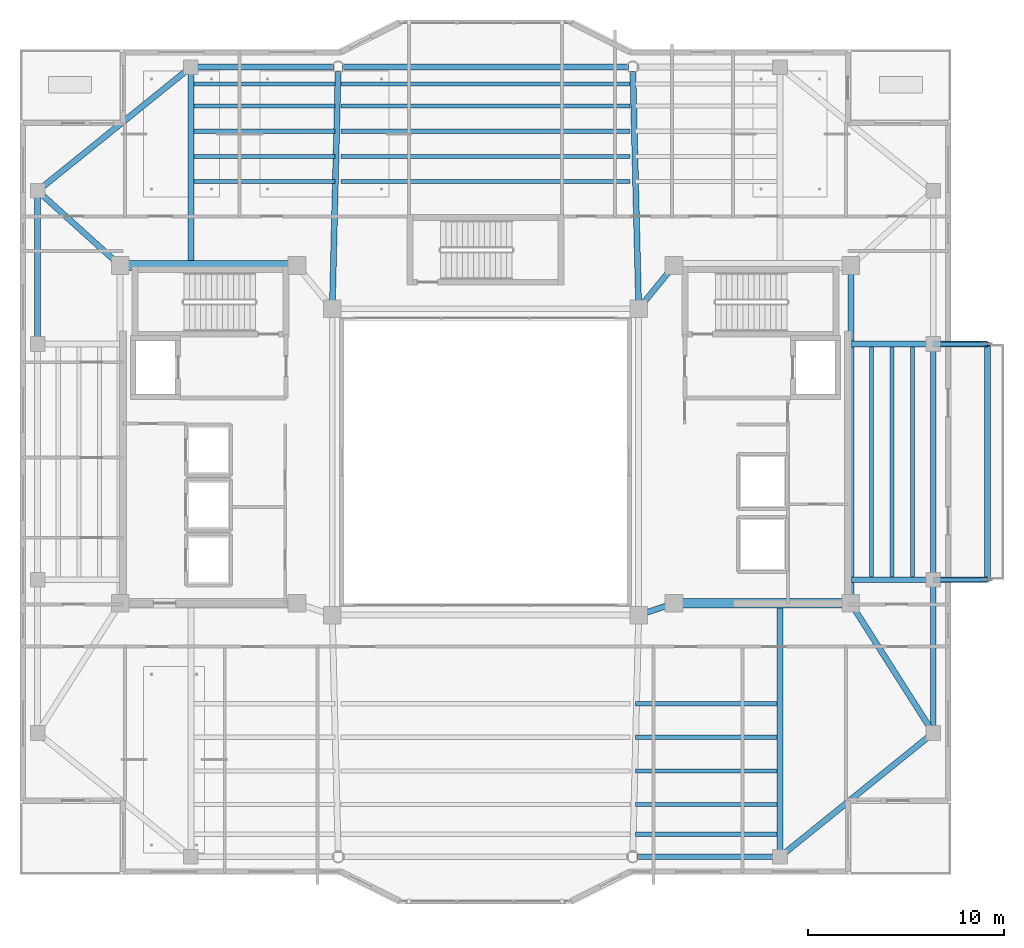
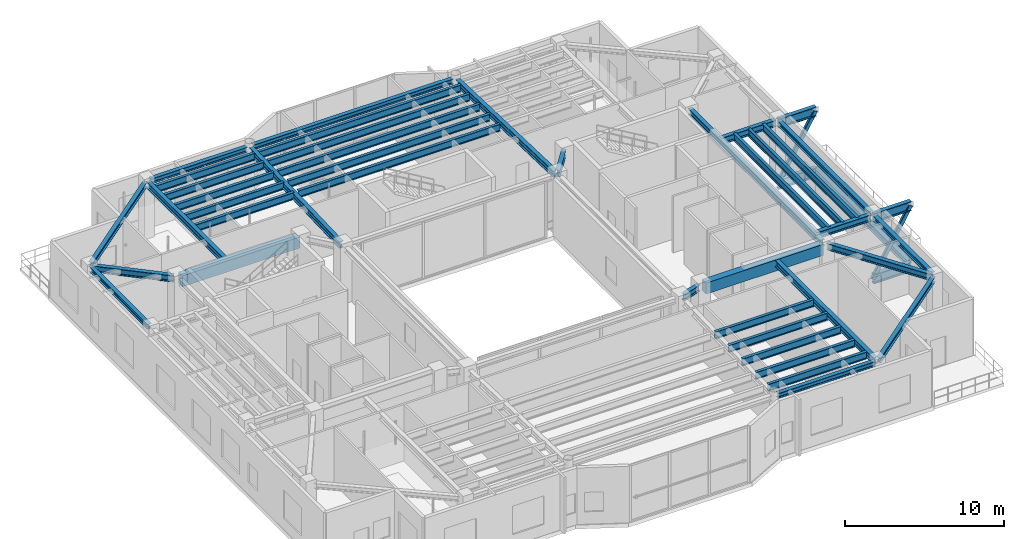
# One storey, part 7 of 23: 44 beams, 2 members.
"""IFC4 building model written with IfcOpenShell, lengths in metres."""

from ifc_helpers import new_model, si_unit, direction, frame, origin, origin_2d, place, context, subcontext, project, spatial, rectangle, hollow_rectangle, i_section, extrude, material, material_profile, profile_set, type_object, element, save


model = new_model("IFC4")

# Units and contexts
model_context = context("Model", 3, precision=1e-05, world=origin(), true_north=direction((0.0, 1.0)))
body_context = subcontext(model_context, "Body", "Model", "MODEL_VIEW")
ifc_project = project(units=[si_unit("LENGTHUNIT", "METRE"), si_unit("AREAUNIT", "SQUARE_METRE"), si_unit("VOLUMEUNIT", "CUBIC_METRE"), si_unit("PLANEANGLEUNIT", "RADIAN"), si_unit("MASSUNIT", "GRAM", prefix="KILO")], contexts=[model_context])

# Site, building, storey
site_placement = place(None, origin())
site = spatial("IfcSite", under=ifc_project, at=site_placement, CompositionType="ELEMENT")
building_placement = place(site_placement, origin())
building = spatial("IfcBuilding", under=site, at=building_placement, Name="Tarnavaz Court Tower", CompositionType="ELEMENT")
storey_placement = place(building_placement, frame((0.0, 0.0, 227.10009765625)))
storey = spatial("IfcBuildingStorey", under=building, at=storey_placement, Name="L62", CompositionType="ELEMENT", Elevation=227.10009765625)

# Beams
ifc_material_1 = material(Name="Steel S460", Category="steel")
ifc_material_profile_1 = material_profile(ifc_material_1, i_section(OverallWidth=0.303955078125, OverallDepth=0.716064453125, WebThickness=0.02099609375, FlangeThickness=0.0400390625, FilletRadius=0.027099609375, at=origin_2d()), Name="HEM 700")
ifc_profile_set_1 = profile_set([ifc_material_profile_1], Name="Steel S460")
beam_type_1 = type_object("IfcBeamType", Name="BM-BT-HEM700", PredefinedType="USERDEFINED", material=ifc_profile_set_1)
for number, where, z_axis, x_axis, name in (
    (1, (22.800048828125, -6.0, -0.7080078125), (1.0, 0.0, 0.0), (0.0, 1.0, 0.0), "L62 Sky-Pool Cantilever Bottom Chord 1"),
    (2, (22.800048828125, -6.0, 3.991943359375), (1.0, 0.0, 0.0), (0.0, 1.0, 0.0), "L62 Sky-Pool Cantilever Top Chord 1"),
    (3, (22.800048828125, 6.0, -0.7080078125), (1.0, 0.0, 0.0), (0.0, 1.0, 0.0), "L62 Sky-Pool Cantilever Bottom Chord 2"),
    (4, (22.800048828125, 6.0, 3.991943359375), (1.0, 0.0, 0.0), (0.0, 1.0, 0.0), "L62 Sky-Pool Cantilever Top Chord 2"),
):
    element("IfcBeam", number, at=place(storey_placement, frame(where, z_axis=z_axis, x_axis=x_axis)), inside=storey, type_object=beam_type_1, Name=name, ObjectType="GIRDER", PredefinedType="USERDEFINED", context=body_context, shape_type="SweptSolid", body=[
        extrude(i_section(OverallWidth=0.303955078125, OverallDepth=0.716064453125, WebThickness=0.02099609375, FlangeThickness=0.0400390625, FilletRadius=0.027099609375, at=origin_2d()), origin(), (0.0, 0.0, 1.0), 2.75),
    ])
ifc_material_2 = material(Name="Concrete C50/60", Category="concrete")
ifc_material_profile_2 = material_profile(ifc_material_2, rectangle(XDim=0.5, YDim=0.85009765625, at=origin_2d()), Name="RC 500X850")
ifc_profile_set_2 = profile_set([ifc_material_profile_2], Name="Concrete C50/60")
beam_type_2 = type_object("IfcBeamType", Name="BM-CB850", PredefinedType="LINTEL", material=ifc_profile_set_2)
for number, where, z_axis, x_axis, name in (
    (5, (-18.3798828125, 10.0, 3.9248046875), (1.0, 0.0, 0.0), (0.0, 1.0, 0.0), "L62 Beam IN-CW-NO-CW-NI"),
    (6, (18.3798828125, -7.199951171875, 3.9248046875), (-1.0, 0.0, 0.0), (0.0, -1.0, 0.0), "L62 Beam IN-CE-SO-CE-SI"),
):
    element("IfcBeam", number, at=place(storey_placement, frame(where, z_axis=z_axis, x_axis=x_axis)), inside=storey, type_object=beam_type_2, Name=name, PredefinedType="LINTEL", context=body_context, shape_type="SweptSolid", body=[
        extrude(rectangle(XDim=0.5, YDim=0.85009765625, at=origin_2d()), origin(), (0.0, 0.0, 1.0), 8.559814453125),
    ])
ifc_material_3 = material(Name="Steel S355", Category="steel")
ifc_material_profile_3 = material_profile(ifc_material_3, i_section(OverallWidth=0.300048828125, OverallDepth=0.5, WebThickness=0.014404296875, FlangeThickness=0.028076171875, FilletRadius=0.027099609375, at=origin_2d()), Name="HEB 500")
ifc_profile_set_3 = profile_set([ifc_material_profile_3], Name="Steel S355")
beam_type_3 = type_object("IfcBeamType", Name="BM-G-HEB500", PredefinedType="USERDEFINED", material=ifc_profile_set_3)
beam_1_placement = place(storey_placement, frame((9.391357421875, -7.26953125, 4.099853515625), z_axis=(-0.948666544706, -0.316278021615, 0.0), x_axis=(0.316278021615, -0.948666544706, 0.0)))
element("IfcBeam", 7, at=beam_1_placement, inside=storey, type_object=beam_type_3, Name="L62 Beam IN-CE-SI-IW-SE", ObjectType="GIRDER", PredefinedType="USERDEFINED", context=body_context, shape_type="SweptSolid", body=[
    extrude(i_section(OverallWidth=0.300048828125, OverallDepth=0.5, WebThickness=0.014404296875, FlangeThickness=0.028076171875, FilletRadius=0.027099609375, at=origin_2d()), origin(), (0.0, 0.0, 1.0), 1.457275390625),
])
beam_2_placement = place(storey_placement, frame((9.460693359375, 9.82958984375, 4.099853515625), z_axis=(-0.633282058357, -0.773921077735, 0.0), x_axis=(0.773921077735, -0.633282058357, 0.0)))
element("IfcBeam", 8, at=beam_2_placement, inside=storey, type_object=beam_type_3, Name="L62 Beam IN-CE-NI-IW-NE", ObjectType="GIRDER", PredefinedType="USERDEFINED", context=body_context, shape_type="SweptSolid", body=[
    extrude(i_section(OverallWidth=0.300048828125, OverallDepth=0.5, WebThickness=0.014404296875, FlangeThickness=0.028076171875, FilletRadius=0.027099609375, at=origin_2d()), origin(), (0.0, 0.0, 1.0), 2.402587890625),
])
beam_3_placement = place(storey_placement, frame((18.60009765625, -6.97998046875, 4.099853515625), z_axis=(0.0, 1.0, 0.0), x_axis=(-1.0, 0.0, 0.0)))
element("IfcBeam", 9, at=beam_3_placement, inside=storey, type_object=beam_type_3, Name="L62 Beam IN-CE-SO-CE-NO", ObjectType="GIRDER", PredefinedType="USERDEFINED", context=body_context, shape_type="SweptSolid", body=[
    extrude(i_section(OverallWidth=0.300048828125, OverallDepth=0.5, WebThickness=0.014404296875, FlangeThickness=0.028076171875, FilletRadius=0.027099609375, at=origin_2d()), origin(), (0.0, 0.0, 1.0), 16.760009765625),
])
beam_4_placement = place(storey_placement, frame((-15.0, 10.0400390625, 4.099853515625), z_axis=(0.0, 1.0, 0.0), x_axis=(-1.0, 0.0, 0.0)))
element("IfcBeam", 10, at=beam_4_placement, inside=storey, type_object=beam_type_3, Name="L62 Beam RG-01", ObjectType="GIRDER", PredefinedType="USERDEFINED", context=body_context, shape_type="SweptSolid", body=[
    extrude(i_section(OverallWidth=0.300048828125, OverallDepth=0.5, WebThickness=0.014404296875, FlangeThickness=0.028076171875, FilletRadius=0.027099609375, at=origin_2d()), origin(), (0.0, 0.0, 1.0), 9.83984375),
])
for number, where, z_axis, x_axis, name in (
    (11, (-7.794677734375, 8.02001953125, 4.099853515625), (0.024386002211, 0.99970261723, 0.0), (-0.99970261723, 0.024386002211, 0.0), "L62 Beam RG-02"),
    (12, (7.794677734375, 8.02001953125, 4.099853515625), (-0.024386002211, 0.99970261723, 0.0), (-0.99970261723, -0.024386002211, 0.0), "L62 Beam RG-03"),
):
    element("IfcBeam", number, at=place(storey_placement, frame(where, z_axis=z_axis, x_axis=x_axis)), inside=storey, type_object=beam_type_3, Name=name, ObjectType="GIRDER", PredefinedType="USERDEFINED", context=body_context, shape_type="SweptSolid", body=[
        extrude(i_section(OverallWidth=0.300048828125, OverallDepth=0.5, WebThickness=0.014404296875, FlangeThickness=0.028076171875, FilletRadius=0.027099609375, at=origin_2d()), origin(), (0.0, 0.0, 1.0), 11.863525390625),
    ])
beam_5_placement = place(storey_placement, frame((15.0, -7.239990234375, 4.099853515625), z_axis=(0.0, -1.0, 0.0), x_axis=(1.0, 0.0, 0.0)))
element("IfcBeam", 13, at=beam_5_placement, inside=storey, type_object=beam_type_3, Name="L62 Beam RG-08", ObjectType="GIRDER", PredefinedType="USERDEFINED", context=body_context, shape_type="SweptSolid", body=[
    extrude(i_section(OverallWidth=0.300048828125, OverallDepth=0.5, WebThickness=0.014404296875, FlangeThickness=0.028076171875, FilletRadius=0.027099609375, at=origin_2d()), origin(), (0.0, 0.0, 1.0), 12.639892578125),
])
for number, where, z_axis, x_axis, name in (
    (14, (18.639892578125, -6.0, 4.099853515625), (1.0, 0.0, 0.0), (0.0, 1.0, 0.0), "L62 Beam RG-09"),
    (15, (18.639892578125, 6.0, 4.099853515625), (1.0, 0.0, 0.0), (0.0, 1.0, 0.0), "L62 Beam RG-10"),
):
    element("IfcBeam", number, at=place(storey_placement, frame(where, z_axis=z_axis, x_axis=x_axis)), inside=storey, type_object=beam_type_3, Name=name, ObjectType="GIRDER", PredefinedType="USERDEFINED", context=body_context, shape_type="SweptSolid", body=[
        extrude(i_section(OverallWidth=0.300048828125, OverallDepth=0.5, WebThickness=0.014404296875, FlangeThickness=0.028076171875, FilletRadius=0.027099609375, at=origin_2d()), origin(), (0.0, 0.0, 1.0), 3.940185546875),
    ])
beam_6_placement = place(storey_placement, frame((18.718017578125, -7.385498046875, 4.099853515625), z_axis=(0.536871212964, -0.843664210863, 0.0), x_axis=(0.843664210863, 0.536871212964, 0.0)))
element("IfcBeam", 16, at=beam_6_placement, inside=storey, type_object=beam_type_3, Name="L62 Beam RG-11", ObjectType="GIRDER", PredefinedType="USERDEFINED", context=body_context, shape_type="SweptSolid", body=[
    extrude(i_section(OverallWidth=0.300048828125, OverallDepth=0.5, WebThickness=0.014404296875, FlangeThickness=0.028076171875, FilletRadius=0.027099609375, at=origin_2d()), origin(), (0.0, 0.0, 1.0), 7.38330078125),
])
beam_7_placement = place(storey_placement, frame((-18.76318359375, 10.147705078125, 4.099853515625), z_axis=(-0.741555708494, 0.670891296113, 0.0), x_axis=(-0.670891296113, -0.741555708494, 0.0)))
element("IfcBeam", 17, at=beam_7_placement, inside=storey, type_object=beam_type_3, Name="L62 Beam RG-16", ObjectType="GIRDER", PredefinedType="USERDEFINED", context=body_context, shape_type="SweptSolid", body=[
    extrude(i_section(OverallWidth=0.300048828125, OverallDepth=0.5, WebThickness=0.014404296875, FlangeThickness=0.028076171875, FilletRadius=0.027099609375, at=origin_2d()), origin(), (0.0, 0.0, 1.0), 5.223876953125),
])
ifc_material_profile_4 = material_profile(ifc_material_3, i_section(OverallWidth=0.2099609375, OverallDepth=0.550048828125, WebThickness=0.010986328125, FlangeThickness=0.01708984375, FilletRadius=0.02392578125, at=origin_2d()), Name="IPE 550")
ifc_profile_set_4 = profile_set([ifc_material_profile_4], Name="Steel S355")
beam_type_4 = type_object("IfcBeamType", Name="BM-J-IPE550", PredefinedType="JOIST", material=ifc_profile_set_4)
beam_8_placement = place(storey_placement, frame((-14.85009765625, 14.278076171875, 4.074951171875), z_axis=(1.0, 0.0, 0.0), x_axis=(0.0, 1.0, 0.0)))
element("IfcBeam", 18, at=beam_8_placement, inside=storey, type_object=beam_type_4, Name="L62 Beam JN1-1", PredefinedType="JOIST", context=body_context, shape_type="SweptSolid", body=[
    extrude(i_section(OverallWidth=0.2099609375, OverallDepth=0.550048828125, WebThickness=0.010986328125, FlangeThickness=0.01708984375, FilletRadius=0.02392578125, at=origin_2d()), origin(), (0.0, 0.0, 1.0), 7.2001953125),
])
beam_9_placement = place(storey_placement, frame((-7.35009765625, 14.278076171875, 4.074951171875), z_axis=(1.0, 0.0, 0.0), x_axis=(0.0, 1.0, 0.0)))
element("IfcBeam", 19, at=beam_9_placement, inside=storey, type_object=beam_type_4, Name="L62 Beam JN1-2", PredefinedType="JOIST", context=body_context, shape_type="SweptSolid", body=[
    extrude(i_section(OverallWidth=0.2099609375, OverallDepth=0.550048828125, WebThickness=0.010986328125, FlangeThickness=0.01708984375, FilletRadius=0.02392578125, at=origin_2d()), origin(), (0.0, 0.0, 1.0), 14.7001953125),
])
for number, where, z_axis, x_axis, name in (
    (20, (7.64990234375, -12.31005859375, 4.074951171875), (1.0, 0.0, 0.0), (0.0, 1.0, 0.0), "L62 Beam JS1-3"),
    (21, (-14.85009765625, 15.555908203125, 4.074951171875), (1.0, 0.0, 0.0), (0.0, 1.0, 0.0), "L62 Beam JN2-1"),
):
    element("IfcBeam", number, at=place(storey_placement, frame(where, z_axis=z_axis, x_axis=x_axis)), inside=storey, type_object=beam_type_4, Name=name, PredefinedType="JOIST", context=body_context, shape_type="SweptSolid", body=[
        extrude(i_section(OverallWidth=0.2099609375, OverallDepth=0.550048828125, WebThickness=0.010986328125, FlangeThickness=0.01708984375, FilletRadius=0.02392578125, at=origin_2d()), origin(), (0.0, 0.0, 1.0), 7.2001953125),
    ])
beam_10_placement = place(storey_placement, frame((-7.35009765625, 15.555908203125, 4.074951171875), z_axis=(1.0, 0.0, 0.0), x_axis=(0.0, 1.0, 0.0)))
element("IfcBeam", 22, at=beam_10_placement, inside=storey, type_object=beam_type_4, Name="L62 Beam JN2-2", PredefinedType="JOIST", context=body_context, shape_type="SweptSolid", body=[
    extrude(i_section(OverallWidth=0.2099609375, OverallDepth=0.550048828125, WebThickness=0.010986328125, FlangeThickness=0.01708984375, FilletRadius=0.02392578125, at=origin_2d()), origin(), (0.0, 0.0, 1.0), 14.7001953125),
])
for number, where, z_axis, x_axis, name in (
    (23, (7.64990234375, -14.02001953125, 4.074951171875), (1.0, 0.0, 0.0), (0.0, 1.0, 0.0), "L62 Beam JS2-3"),
    (24, (-14.85009765625, 16.833984375, 4.074951171875), (1.0, 0.0, 0.0), (0.0, 1.0, 0.0), "L62 Beam JN3-1"),
):
    element("IfcBeam", number, at=place(storey_placement, frame(where, z_axis=z_axis, x_axis=x_axis)), inside=storey, type_object=beam_type_4, Name=name, PredefinedType="JOIST", context=body_context, shape_type="SweptSolid", body=[
        extrude(i_section(OverallWidth=0.2099609375, OverallDepth=0.550048828125, WebThickness=0.010986328125, FlangeThickness=0.01708984375, FilletRadius=0.02392578125, at=origin_2d()), origin(), (0.0, 0.0, 1.0), 7.2001953125),
    ])
beam_11_placement = place(storey_placement, frame((-7.35009765625, 16.833984375, 4.074951171875), z_axis=(1.0, 0.0, 0.0), x_axis=(0.0, 1.0, 0.0)))
element("IfcBeam", 25, at=beam_11_placement, inside=storey, type_object=beam_type_4, Name="L62 Beam JN3-2", PredefinedType="JOIST", context=body_context, shape_type="SweptSolid", body=[
    extrude(i_section(OverallWidth=0.2099609375, OverallDepth=0.550048828125, WebThickness=0.010986328125, FlangeThickness=0.01708984375, FilletRadius=0.02392578125, at=origin_2d()), origin(), (0.0, 0.0, 1.0), 14.7001953125),
])
for number, where, z_axis, x_axis, name in (
    (26, (7.64990234375, -15.72998046875, 4.074951171875), (1.0, 0.0, 0.0), (0.0, 1.0, 0.0), "L62 Beam JS3-3"),
    (27, (-14.85009765625, 18.112060546875, 4.074951171875), (1.0, 0.0, 0.0), (0.0, 1.0, 0.0), "L62 Beam JN4-1"),
):
    element("IfcBeam", number, at=place(storey_placement, frame(where, z_axis=z_axis, x_axis=x_axis)), inside=storey, type_object=beam_type_4, Name=name, PredefinedType="JOIST", context=body_context, shape_type="SweptSolid", body=[
        extrude(i_section(OverallWidth=0.2099609375, OverallDepth=0.550048828125, WebThickness=0.010986328125, FlangeThickness=0.01708984375, FilletRadius=0.02392578125, at=origin_2d()), origin(), (0.0, 0.0, 1.0), 7.2001953125),
    ])
beam_12_placement = place(storey_placement, frame((-7.35009765625, 18.112060546875, 4.074951171875), z_axis=(1.0, 0.0, 0.0), x_axis=(0.0, 1.0, 0.0)))
element("IfcBeam", 28, at=beam_12_placement, inside=storey, type_object=beam_type_4, Name="L62 Beam JN4-2", PredefinedType="JOIST", context=body_context, shape_type="SweptSolid", body=[
    extrude(i_section(OverallWidth=0.2099609375, OverallDepth=0.550048828125, WebThickness=0.010986328125, FlangeThickness=0.01708984375, FilletRadius=0.02392578125, at=origin_2d()), origin(), (0.0, 0.0, 1.0), 14.7001953125),
])
for number, where, z_axis, x_axis, name in (
    (29, (7.64990234375, -17.43994140625, 4.074951171875), (1.0, 0.0, 0.0), (0.0, 1.0, 0.0), "L62 Beam JS4-3"),
    (30, (-14.85009765625, 19.248046875, 4.074951171875), (1.0, 0.0, 0.0), (0.0, 1.0, 0.0), "L62 Beam JN5-1"),
):
    element("IfcBeam", number, at=place(storey_placement, frame(where, z_axis=z_axis, x_axis=x_axis)), inside=storey, type_object=beam_type_4, Name=name, PredefinedType="JOIST", context=body_context, shape_type="SweptSolid", body=[
        extrude(i_section(OverallWidth=0.2099609375, OverallDepth=0.550048828125, WebThickness=0.010986328125, FlangeThickness=0.01708984375, FilletRadius=0.02392578125, at=origin_2d()), origin(), (0.0, 0.0, 1.0), 7.2001953125),
    ])
beam_13_placement = place(storey_placement, frame((-7.35009765625, 19.248046875, 4.074951171875), z_axis=(1.0, 0.0, 0.0), x_axis=(0.0, 1.0, 0.0)))
element("IfcBeam", 31, at=beam_13_placement, inside=storey, type_object=beam_type_4, Name="L62 Beam JN5-2", PredefinedType="JOIST", context=body_context, shape_type="SweptSolid", body=[
    extrude(i_section(OverallWidth=0.2099609375, OverallDepth=0.550048828125, WebThickness=0.010986328125, FlangeThickness=0.01708984375, FilletRadius=0.02392578125, at=origin_2d()), origin(), (0.0, 0.0, 1.0), 14.7001953125),
])
beam_14_placement = place(storey_placement, frame((7.64990234375, -18.9599609375, 4.074951171875), z_axis=(1.0, 0.0, 0.0), x_axis=(0.0, 1.0, 0.0)))
element("IfcBeam", 32, at=beam_14_placement, inside=storey, type_object=beam_type_4, Name="L62 Beam JS5-3", PredefinedType="JOIST", context=body_context, shape_type="SweptSolid", body=[
    extrude(i_section(OverallWidth=0.2099609375, OverallDepth=0.550048828125, WebThickness=0.010986328125, FlangeThickness=0.01708984375, FilletRadius=0.02392578125, at=origin_2d()), origin(), (0.0, 0.0, 1.0), 7.2001953125),
])
for number, where, z_axis, x_axis, name in (
    (33, (19.64990234375, -5.9599609375, 4.074951171875), (0.0, 1.0, 0.0), (-1.0, 0.0, 0.0), "L62 Beam JE1"),
    (34, (20.699951171875, -5.9599609375, 4.074951171875), (0.0, 1.0, 0.0), (-1.0, 0.0, 0.0), "L62 Beam JE2"),
    (35, (21.75, -5.9599609375, 4.074951171875), (0.0, 1.0, 0.0), (-1.0, 0.0, 0.0), "L62 Beam JE3"),
):
    element("IfcBeam", number, at=place(storey_placement, frame(where, z_axis=z_axis, x_axis=x_axis)), inside=storey, type_object=beam_type_4, Name=name, PredefinedType="JOIST", context=body_context, shape_type="SweptSolid", body=[
        extrude(i_section(OverallWidth=0.2099609375, OverallDepth=0.550048828125, WebThickness=0.010986328125, FlangeThickness=0.01708984375, FilletRadius=0.02392578125, at=origin_2d()), origin(), (0.0, 0.0, 1.0), 11.919921875),
    ])
ifc_material_profile_5 = material_profile(ifc_material_3, i_section(OverallWidth=0.300048828125, OverallDepth=0.389892578125, WebThickness=0.010986328125, FlangeThickness=0.01904296875, FilletRadius=0.027099609375, at=origin_2d()), Name="HEA 400")
ifc_profile_set_5 = profile_set([ifc_material_profile_5], Name="Steel S355")
beam_type_5 = type_object("IfcBeamType", Name="BM-SP-HEA400", PredefinedType="BEAM", material=ifc_profile_set_5)
beam_15_placement = place(storey_placement, frame((-14.780029296875, 20.10009765625, 4.15478515625), z_axis=(1.0, 0.0, 0.0), x_axis=(0.0, 1.0, 0.0)))
element("IfcBeam", 36, at=beam_15_placement, inside=storey, type_object=beam_type_5, Name="L62 Beam PR-PN-1-PN-2", PredefinedType="BEAM", context=body_context, shape_type="SweptSolid", body=[
    extrude(i_section(OverallWidth=0.300048828125, OverallDepth=0.389892578125, WebThickness=0.010986328125, FlangeThickness=0.01904296875, FilletRadius=0.027099609375, at=origin_2d()), origin(), (0.0, 0.0, 1.0), 7.06005859375),
])
beam_16_placement = place(storey_placement, frame((-7.280029296875, 20.10009765625, 4.15478515625), z_axis=(1.0, 0.0, 0.0), x_axis=(0.0, 1.0, 0.0)))
element("IfcBeam", 37, at=beam_16_placement, inside=storey, type_object=beam_type_5, Name="L62 Beam PR-PN-2-PN-3", PredefinedType="BEAM", context=body_context, shape_type="SweptSolid", body=[
    extrude(i_section(OverallWidth=0.300048828125, OverallDepth=0.389892578125, WebThickness=0.010986328125, FlangeThickness=0.01904296875, FilletRadius=0.027099609375, at=origin_2d()), origin(), (0.0, 0.0, 1.0), 14.56005859375),
])
beam_17_placement = place(storey_placement, frame((7.719970703125, -20.10009765625, 4.15478515625), z_axis=(1.0, 0.0, 0.0), x_axis=(0.0, 1.0, 0.0)))
element("IfcBeam", 38, at=beam_17_placement, inside=storey, type_object=beam_type_5, Name="L62 Beam PR-PS-3-PS-4", PredefinedType="BEAM", context=body_context, shape_type="SweptSolid", body=[
    extrude(i_section(OverallWidth=0.300048828125, OverallDepth=0.389892578125, WebThickness=0.010986328125, FlangeThickness=0.01904296875, FilletRadius=0.027099609375, at=origin_2d()), origin(), (0.0, 0.0, 1.0), 7.06005859375),
])
beam_18_placement = place(storey_placement, frame((22.800048828125, -13.580078125, 4.15478515625), z_axis=(0.0, 1.0, 0.0), x_axis=(-1.0, 0.0, 0.0)))
element("IfcBeam", 39, at=beam_18_placement, inside=storey, type_object=beam_type_5, Name="L62 Beam PR-PE-1-PE-2", PredefinedType="BEAM", context=body_context, shape_type="SweptSolid", body=[
    extrude(i_section(OverallWidth=0.300048828125, OverallDepth=0.389892578125, WebThickness=0.010986328125, FlangeThickness=0.01904296875, FilletRadius=0.027099609375, at=origin_2d()), origin(), (0.0, 0.0, 1.0), 7.360107421875),
])
beam_19_placement = place(storey_placement, frame((22.800048828125, -5.780029296875, 4.15478515625), z_axis=(0.0, 1.0, 0.0), x_axis=(-1.0, 0.0, 0.0)))
element("IfcBeam", 40, at=beam_19_placement, inside=storey, type_object=beam_type_5, Name="L62 Beam PR-PE-2-PE-3", PredefinedType="BEAM", context=body_context, shape_type="SweptSolid", body=[
    extrude(i_section(OverallWidth=0.300048828125, OverallDepth=0.389892578125, WebThickness=0.010986328125, FlangeThickness=0.01904296875, FilletRadius=0.027099609375, at=origin_2d()), origin(), (0.0, 0.0, 1.0), 11.56005859375),
])
beam_20_placement = place(storey_placement, frame((-22.800048828125, 6.219970703125, 4.15478515625), z_axis=(0.0, 1.0, 0.0), x_axis=(-1.0, 0.0, 0.0)))
element("IfcBeam", 41, at=beam_20_placement, inside=storey, type_object=beam_type_5, Name="L62 Beam PR-PW-3-PW-4", PredefinedType="BEAM", context=body_context, shape_type="SweptSolid", body=[
    extrude(i_section(OverallWidth=0.300048828125, OverallDepth=0.389892578125, WebThickness=0.010986328125, FlangeThickness=0.01904296875, FilletRadius=0.027099609375, at=origin_2d()), origin(), (0.0, 0.0, 1.0), 7.360107421875),
])
for number, where, z_axis, x_axis, name in (
    (42, (22.62890625, -13.938232421875, 4.15478515625), (-0.777935913531, -0.628343627674, 0.0), (0.628343627674, -0.777935913531, 0.0), "L62 Beam PR-PE-1-PS-4"),
    (43, (-22.62890625, 13.938232421875, 4.15478515625), (0.777935913531, 0.628343627674, 0.0), (-0.628343627674, 0.777935913531, 0.0), "L62 Beam PR-PW-4-PN-1"),
):
    element("IfcBeam", number, at=place(storey_placement, frame(where, z_axis=z_axis, x_axis=x_axis)), inside=storey, type_object=beam_type_5, Name=name, PredefinedType="BEAM", context=body_context, shape_type="SweptSolid", body=[
        extrude(i_section(OverallWidth=0.300048828125, OverallDepth=0.389892578125, WebThickness=0.010986328125, FlangeThickness=0.01904296875, FilletRadius=0.027099609375, at=origin_2d()), origin(), (0.0, 0.0, 1.0), 9.586669921875),
    ])
ifc_material_profile_6 = material_profile(ifc_material_3, i_section(OverallWidth=0.300048828125, OverallDepth=0.489990234375, WebThickness=0.011962890625, FlangeThickness=0.02294921875, FilletRadius=0.027099609375, at=origin_2d()), Name="HEA 500")
ifc_profile_set_6 = profile_set([ifc_material_profile_6], Name="Steel S355")
beam_type_6 = type_object("IfcBeamType", Name="BM-SP-HEA500", PredefinedType="SPANDREL", material=ifc_profile_set_6)
beam_21_placement = place(storey_placement, frame((25.550048828125, -6.0, -0.59521484375), z_axis=(0.0, 1.0, 0.0), x_axis=(-1.0, 0.0, 0.0)))
element("IfcBeam", 44, at=beam_21_placement, inside=storey, type_object=beam_type_6, Name="L62 Beam SP-TIP-EDGE", PredefinedType="SPANDREL", context=body_context, shape_type="SweptSolid", body=[
    extrude(i_section(OverallWidth=0.300048828125, OverallDepth=0.489990234375, WebThickness=0.011962890625, FlangeThickness=0.02294921875, FilletRadius=0.027099609375, at=origin_2d()), origin(), (0.0, 0.0, 1.0), 12.0),
])

# Members
ifc_material_profile_7 = material_profile(ifc_material_1, hollow_rectangle(XDim=0.199951171875, YDim=0.300048828125, WallThickness=0.012451171875, InnerFilletRadius=0.012451171875, OuterFilletRadius=0.02490234375, at=origin_2d()), Name="RHS 300X200X12.5")
ifc_profile_set_7 = profile_set([ifc_material_profile_7], Name="Steel S460")
member_type = type_object("IfcMemberType", Name="MB-SP-RHS300", PredefinedType="STRUT", material=ifc_profile_set_7)
for number, where, z_axis, x_axis, name in (
    (45, (22.800048828125, -6.0, -0.7080078125), (0.505016302336, 0.0, 0.863109804356), (0.0, 1.0, 0.0), "L62 Sky-Pool Cantilever Web Diagonal 1A"),
    (46, (22.800048828125, 6.0, -0.7080078125), (0.505016302336, 0.0, 0.863109804356), (0.0, 1.0, 0.0), "L62 Sky-Pool Cantilever Web Diagonal 2A"),
):
    element("IfcMember", number, at=place(storey_placement, frame(where, z_axis=z_axis, x_axis=x_axis)), inside=storey, type_object=member_type, Name=name, PredefinedType="STRUT", context=body_context, shape_type="SweptSolid", body=[
        extrude(hollow_rectangle(XDim=0.199951171875, YDim=0.300048828125, WallThickness=0.012451171875, InnerFilletRadius=0.012451171875, OuterFilletRadius=0.02490234375, at=origin_2d()), origin(), (0.0, 0.0, 1.0), 5.4453125),
    ])

save(model, "model.ifc")
